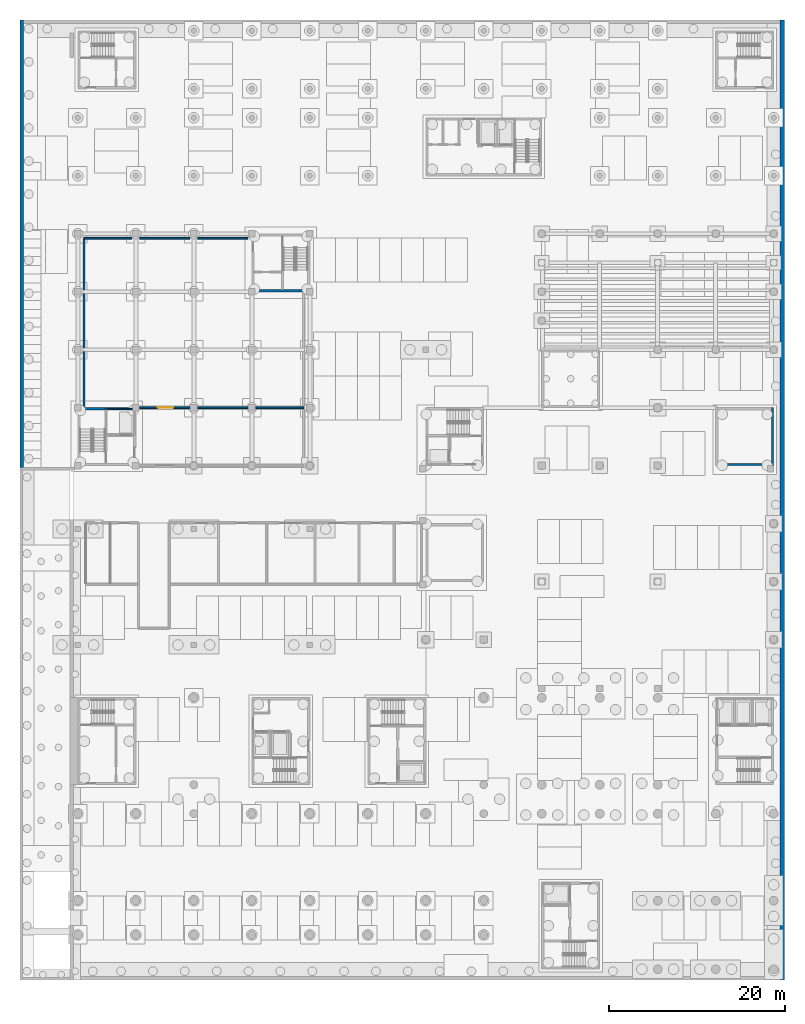
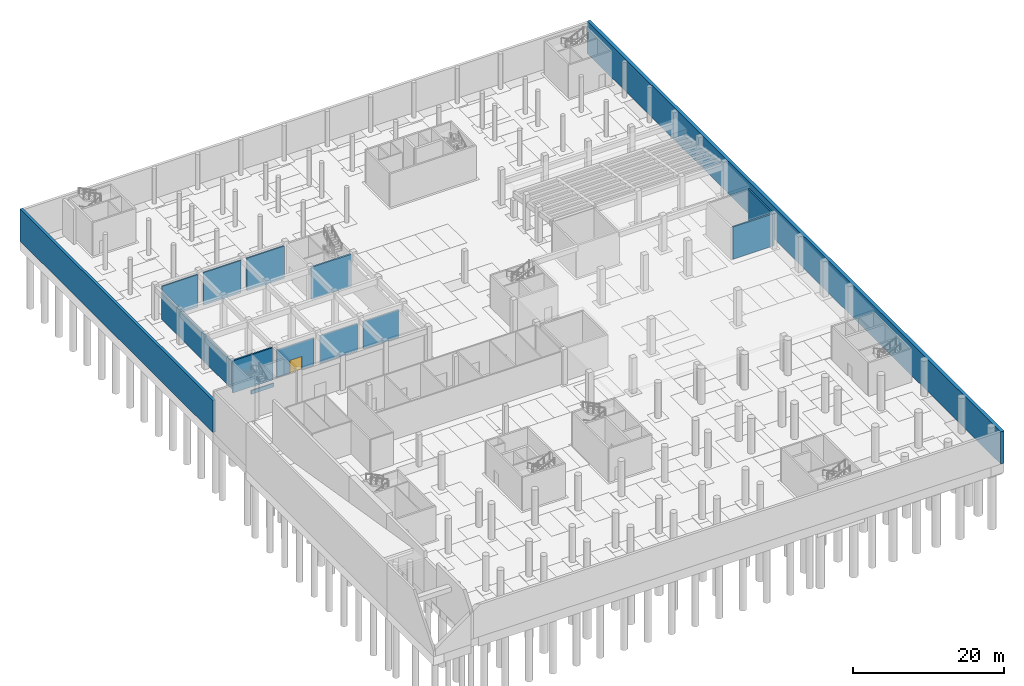
# One storey, part 15 of 38: 14 walls, 1 door, 1 opening.
"""IFC4 building model written with IfcOpenShell, lengths in metres."""

import ifcopenshell
import ifcopenshell.guid

model = None  # the IFC model being written
_history = None  # IfcOwnerHistory: only IFC2X3 demands one
_inside = {}  # id of a spatial element -> (the spatial element, [elements in it])
_under = {}  # id of a project, library or spatial element -> (it, [spatial elements below it])
_declared = {}  # id of a project -> (the project, [libraries it declares])
_typed = {}  # id of a type object -> (the type object, [elements of that type])
_made_of = {}  # id of a material, layer set ... -> (it, [elements and type objects made of it])


def new_model(schema):
    """Start an empty IFC model of exactly this schema.

    Asked for "IFC4X3", IfcOpenShell would pick the latest addendum, in which some entities
    have other attributes; the version numbers below select the first issue.
    IFC2X3 requires an IfcOwnerHistory on every rooted entity: one is made here for all.
    """
    global model, _history
    if schema == "IFC4X3":
        model = ifcopenshell.file(schema_version=(4, 3, 0, 0))
    else:
        model = ifcopenshell.file(schema=schema)
    _inside.clear()
    _under.clear()
    _declared.clear()
    _typed.clear()
    _made_of.clear()
    _history = None
    if model.schema == "IFC2X3":
        org = make("IfcOrganization", Name="unknown")
        user = make(
            "IfcPersonAndOrganization",
            ThePerson=make("IfcPerson", FamilyName="unknown"),
            TheOrganization=org,
        )
        app = make(
            "IfcApplication",
            ApplicationDeveloper=org,
            Version="unknown",
            ApplicationFullName="unknown",
            ApplicationIdentifier="unknown",
        )
        _history = make(
            "IfcOwnerHistory",
            OwningUser=user,
            OwningApplication=app,
            ChangeAction="ADDED",
            CreationDate=0,
        )
    return model


def make(cls, **values):
    """One entity of the class cls with the attributes given. An attribute that is None is left unset."""
    return model.create_entity(
        cls, **{name: value for name, value in values.items() if value is not None}
    )


def rooted(cls, **values):
    """An entity with a GlobalId (a new one), such as an element, a storey or a relation."""
    return make(cls, GlobalId=ifcopenshell.guid.new(), OwnerHistory=_history, **values)


def si_unit(unit_type, name, prefix=None):
    """IfcSIUnit, for example si_unit("LENGTHUNIT", "METRE", prefix="MILLI")."""
    return make("IfcSIUnit", UnitType=unit_type, Prefix=prefix, Name=name)


def assignment(units):
    """IfcUnitAssignment: the units of a project."""
    return None if units is None else make("IfcUnitAssignment", Units=units)


def point(xyz):
    """IfcCartesianPoint."""
    return None if xyz is None else make("IfcCartesianPoint", Coordinates=xyz)


def direction(xyz):
    """IfcDirection."""
    return None if xyz is None else make("IfcDirection", DirectionRatios=xyz)


def frame(location, z_axis=None, x_axis=None):
    """IfcAxis2Placement3D, a coordinate frame: its origin and axes. An axis left out is left unset."""
    return make(
        "IfcAxis2Placement3D",
        Location=point(location),
        Axis=direction(z_axis),
        RefDirection=direction(x_axis),
    )


def frame_2d(location, x_axis=None):
    """IfcAxis2Placement2D, a coordinate frame in the plane: its origin and x axis."""
    return make(
        "IfcAxis2Placement2D", Location=point(location), RefDirection=direction(x_axis)
    )


def origin():
    """The frame at (0, 0, 0) with its axes left unset."""
    return frame((0.0, 0.0, 0.0))


def place(relative_to, where):
    """IfcLocalPlacement: puts the frame where relative to a parent placement (None: the world)."""
    return make(
        "IfcLocalPlacement", PlacementRelTo=relative_to, RelativePlacement=where
    )


def context(
    kind, dimensions, precision=None, world=None, true_north=None, identifier=None
):
    """IfcGeometricRepresentationContext, for example the 3D "Model" context."""
    return make(
        "IfcGeometricRepresentationContext",
        ContextIdentifier=identifier,
        ContextType=kind,
        CoordinateSpaceDimension=dimensions,
        Precision=precision,
        WorldCoordinateSystem=world,
        TrueNorth=true_north,
    )


def subcontext(parent, identifier, kind, view, scale=None):
    """IfcGeometricRepresentationSubContext, for example "Body" below "Model"."""
    return make(
        "IfcGeometricRepresentationSubContext",
        ContextIdentifier=identifier,
        ContextType=kind,
        ParentContext=parent,
        TargetScale=scale,
        TargetView=view,
    )


def project(units=None, contexts=None):
    """IfcProject with its units and contexts."""
    return rooted(
        "IfcProject",
        Name="project",
        RepresentationContexts=contexts,
        UnitsInContext=assignment(units),
    )


def spatial(cls, under=None, at=None, **own):
    """A site, building, storey or space (cls), placed at a placement, below another one or the project."""
    s = rooted(cls, ObjectPlacement=at, **own)
    if under is not None:
        _under.setdefault(under.id(), (under, []))[1].append(s)
    return s


def profile(cls, at=None, kind="AREA", **sizes):
    """A parametric profile (cls). Its sizes go by their IFC names, for example OverallWidth=200.0."""
    return make(cls, ProfileType=kind, Position=at, **sizes)


def rectangle(**sizes):
    """IfcRectangleProfileDef."""
    return profile("IfcRectangleProfileDef", **sizes)


def extrude(swept, where, along, depth):
    """IfcExtrudedAreaSolid: the profile swept, set in the frame where, extruded along a direction by depth."""
    return make(
        "IfcExtrudedAreaSolid",
        SweptArea=swept,
        Position=where,
        ExtrudedDirection=direction(along),
        Depth=depth,
    )


def shape(context_of_items, identifier, shape_type, items):
    """IfcShapeRepresentation: the items that make up one representation, for example the "Body"."""
    return make(
        "IfcShapeRepresentation",
        ContextOfItems=context_of_items,
        RepresentationIdentifier=identifier,
        RepresentationType=shape_type,
        Items=items,
    )


def material(Name=None, Category=None):
    """IfcMaterial."""
    return make("IfcMaterial", Name=Name, Category=Category)


def layer(
    of_material, thickness, ventilated=None, Name=None, Category=None, Priority=None
):
    """IfcMaterialLayer: one layer of a wall or slab, of a material (None: an air gap)."""
    return make(
        "IfcMaterialLayer",
        Material=of_material,
        LayerThickness=thickness,
        IsVentilated=ventilated,
        Name=Name,
        Category=Category,
        Priority=Priority,
    )


def layer_set(layers, Name=None):
    """IfcMaterialLayerSet."""
    return make("IfcMaterialLayerSet", MaterialLayers=layers, LayerSetName=Name)


def made_of(thing, what):
    """Note that an element or type object is made of a material, layer set ...; save() writes the relation."""
    if what is not None:
        _made_of.setdefault(what.id(), (what, []))[1].append(thing)
    return thing


def type_object(cls, material=None, **own):
    """A type object (cls), such as IfcWallType, which elements share."""
    return made_of(rooted(cls, **own), material)


def element(
    cls,
    number,
    at=None,
    inside=None,
    cuts=None,
    type_object=None,
    material=None,
    context=None,
    identifier="Body",
    shape_type=None,
    held_by="IfcProductDefinitionShape",
    body=None,
    shapes=None,
    **own,
):
    """One element of the class cls, such as IfcWall. Its Tag is "e" and its number.

    at: its placement. inside: the storey or other place that contains it. cuts: it is an
    opening in that element (IfcRelVoidsElement). A single representation is given by context,
    identifier, shape_type and body (its items); several are given by shapes. held_by: the class
    of the entity that holds the representations. save() writes the other relations.
    """
    e = rooted(cls, Tag="e%d" % number, ObjectPlacement=at, **own)
    if body is not None:
        shapes = [shape(context, identifier, shape_type, body)]
    if shapes is not None:
        e.Representation = make(held_by, Representations=shapes)
    if inside is not None:
        _inside.setdefault(inside.id(), (inside, []))[1].append(e)
    if cuts is not None:
        rooted(
            "IfcRelVoidsElement", RelatingBuildingElement=cuts, RelatedOpeningElement=e
        )
    if type_object is not None:
        _typed.setdefault(type_object.id(), (type_object, []))[1].append(e)
    return made_of(e, material)


def fill(opening, filler):
    """IfcRelFillsElement: the door or window that sits in an opening."""
    return rooted(
        "IfcRelFillsElement",
        RelatingOpeningElement=opening,
        RelatedBuildingElement=filler,
    )


def aggregate(whole, parts):
    """IfcRelAggregates: a whole, such as a stair, and the parts it consists of."""
    return rooted("IfcRelAggregates", RelatingObject=whole, RelatedObjects=parts)


def save(model, path):
    """Write the relations noted so far, then the file.

    IfcRelAggregates (storeys below a building ...), IfcRelContainedInSpatialStructure (elements
    in a storey), IfcRelDefinesByType, IfcRelAssociatesMaterial and IfcRelDeclares: one each for
    every whole, place, type object, material and project.
    """
    for whole, parts in _under.values():
        aggregate(whole, parts)
    for where, things in _inside.values():
        rooted(
            "IfcRelContainedInSpatialStructure",
            RelatedElements=things,
            RelatingStructure=where,
        )
    for kind, things in _typed.values():
        rooted("IfcRelDefinesByType", RelatedObjects=things, RelatingType=kind)
    for what, things in _made_of.values():
        rooted("IfcRelAssociatesMaterial", RelatedObjects=things, RelatingMaterial=what)
    for by, libraries in _declared.values():
        rooted("IfcRelDeclares", RelatingContext=by, RelatedDefinitions=libraries)
    model.write(path)


model = new_model("IFC4")

# Units and contexts
model_context = context("Model", 3, precision=1e-05, world=origin(), true_north=direction((0.0, 1.0)))
body_context = subcontext(model_context, "Body", "Model", "MODEL_VIEW")
ifc_project = project(units=[si_unit("LENGTHUNIT", "METRE"), si_unit("AREAUNIT", "SQUARE_METRE"), si_unit("VOLUMEUNIT", "CUBIC_METRE"), si_unit("PLANEANGLEUNIT", "RADIAN"), si_unit("MASSUNIT", "GRAM", prefix="KILO")], contexts=[model_context])

# Site, building, storey
site_placement = place(None, origin())
site = spatial("IfcSite", under=ifc_project, at=site_placement, CompositionType="ELEMENT")
building_placement = place(site_placement, origin())
building = spatial("IfcBuilding", under=site, at=building_placement, Name="Lantern Court Research Institute", CompositionType="ELEMENT")
storey_placement = place(building_placement, frame((0.0, 0.0, -5.699951171875)))
storey = spatial("IfcBuildingStorey", under=building, at=storey_placement, Name="B1", CompositionType="ELEMENT", Elevation=-5.699951171875)

# Wall, opening, door
ifc_material_1 = material(Name="Masonry blockwork 7 N/mm2", Category="masonry")
ifc_layer_1 = layer(ifc_material_1, 0.199951171875)
ifc_layer_set_1 = layer_set([ifc_layer_1], Name="Masonry blockwork 7 N/mm2")
wall_type_1 = type_object("IfcWallType", Name="Fire compartment wall 200 EI 120", PredefinedType="PARTITIONING", material=ifc_layer_set_1)
wall_1_placement = place(storey_placement, frame((7.050048828125, 56.10009765625, 0.0), z_axis=(0.0, 0.0, 1.0), x_axis=(1.0, 0.0, 0.0)))
wall_1 = element("IfcWall", 1, at=wall_1_placement, inside=storey, type_object=wall_type_1, Name="PT25", PredefinedType="PARTITIONING", context=body_context, shape_type="SweptSolid", body=[
    extrude(rectangle(XDim=5.699951171875, YDim=0.199951171875, at=frame_2d((2.85009765625, 0.0))), origin(), (0.0, 0.0, 1.0), 4.449951171875),
])
opening_placement = place(wall_1_placement, frame((2.02490234375, 0.0, 0.0)))
opening = element("IfcOpeningElement", 2, at=opening_placement, cuts=wall_1, Name="Opening DB010", PredefinedType="OPENING", context=body_context, shape_type="SweptSolid", body=[
    extrude(rectangle(XDim=1.800048828125, YDim=2.10009765625, at=frame_2d((0.89990234375, 1.050048828125))), frame((0.0, 0.10986328125, 0.0), z_axis=(0.0, -1.0, 0.0), x_axis=(1.0, 0.0, 0.0)), (0.0, 0.0, 1.0), 0.219970703125),
])
ifc_material_2 = material(Name="Steel", Category="steel")
door_type = type_object("IfcDoorType", Name="Door 1800 x 2100 fire rated FD60 pair", OperationType="DOUBLE_DOOR_SINGLE_SWING", PredefinedType="DOOR", material=ifc_material_2)
door_placement = place(opening_placement, origin())
door = element("IfcDoor", 3, at=door_placement, inside=storey, type_object=door_type, Name="Door DB010", OperationType="DOUBLE_DOOR_SINGLE_SWING", OverallHeight=2.10009765625, OverallWidth=1.800048828125, PredefinedType="DOOR", context=body_context, shape_type="SweptSolid", body=[
    extrude(rectangle(XDim=1.800048828125, YDim=2.10009765625, at=frame_2d((0.89990234375, 1.050048828125))), frame((0.0, 0.02490234375, 0.0), z_axis=(0.0, -1.0, 0.0), x_axis=(1.0, 0.0, 0.0)), (0.0, 0.0, 1.0), 0.050048828125),
])
fill(opening, door)

# Walls
wall_2_placement = place(storey_placement, frame((13.64990234375, 56.10009765625, 0.0), z_axis=(0.0, 0.0, 1.0), x_axis=(1.0, 0.0, 0.0)))
element("IfcWall", 4, at=wall_2_placement, inside=storey, type_object=wall_type_1, Name="PT26", PredefinedType="PARTITIONING", context=body_context, shape_type="SweptSolid", body=[
    extrude(rectangle(XDim=5.7001953125, YDim=0.199951171875, at=frame_2d((2.85009765625, 0.0))), origin(), (0.0, 0.0, 1.0), 4.449951171875),
])
wall_3_placement = place(storey_placement, frame((20.25, 56.10009765625, 0.0), z_axis=(0.0, 0.0, 1.0), x_axis=(1.0, 0.0, 0.0)))
element("IfcWall", 5, at=wall_3_placement, inside=storey, type_object=wall_type_1, Name="PT27", PredefinedType="PARTITIONING", context=body_context, shape_type="SweptSolid", body=[
    extrude(rectangle(XDim=5.449951171875, YDim=0.199951171875, at=frame_2d((2.72509765625, 0.0))), origin(), (0.0, 0.0, 1.0), 4.449951171875),
])
wall_4_placement = place(storey_placement, frame((0.699951171875, 75.39990234375, 0.0), z_axis=(0.0, 0.0, 1.0), x_axis=(1.0, 0.0, 0.0)))
element("IfcWall", 6, at=wall_4_placement, inside=storey, type_object=wall_type_1, Name="PT28", PredefinedType="PARTITIONING", context=body_context, shape_type="SweptSolid", body=[
    extrude(rectangle(XDim=5.449951171875, YDim=0.199951171875, at=frame_2d((2.72509765625, 0.0))), origin(), (0.0, 0.0, 1.0), 5.25),
])
wall_5_placement = place(storey_placement, frame((7.050048828125, 75.39990234375, 0.0), z_axis=(0.0, 0.0, 1.0), x_axis=(1.0, 0.0, 0.0)))
element("IfcWall", 7, at=wall_5_placement, inside=storey, type_object=wall_type_1, Name="PT29", PredefinedType="PARTITIONING", context=body_context, shape_type="SweptSolid", body=[
    extrude(rectangle(XDim=5.699951171875, YDim=0.199951171875, at=frame_2d((2.85009765625, 0.0))), origin(), (0.0, 0.0, 1.0), 5.25),
])
wall_6_placement = place(storey_placement, frame((13.64990234375, 75.39990234375, 0.0), z_axis=(0.0, 0.0, 1.0), x_axis=(1.0, 0.0, 0.0)))
element("IfcWall", 8, at=wall_6_placement, inside=storey, type_object=wall_type_1, Name="PT30", PredefinedType="PARTITIONING", context=body_context, shape_type="SweptSolid", body=[
    extrude(rectangle(XDim=5.7001953125, YDim=0.199951171875, at=frame_2d((2.85009765625, 0.0))), origin(), (0.0, 0.0, 1.0), 5.25),
])
wall_7_placement = place(storey_placement, frame((0.699951171875, 56.10009765625, 0.0), z_axis=(0.0, 0.0, 1.0), x_axis=(0.0, 1.0, 0.0)))
element("IfcWall", 9, at=wall_7_placement, inside=storey, type_object=wall_type_1, Name="PT31", PredefinedType="PARTITIONING", context=body_context, shape_type="SweptSolid", body=[
    extrude(rectangle(XDim=19.199951171875, YDim=0.199951171875, at=frame_2d((9.60009765625, 0.0))), origin(), (0.0, 0.0, 1.0), 4.449951171875),
])
ifc_material_3 = material(Name="Concrete C40/50", Category="concrete")
ifc_layer_2 = layer(ifc_material_3, 0.25)
ifc_layer_set_2 = layer_set([ifc_layer_2], Name="Concrete C40/50")
wall_type_2 = type_object("IfcWallType", Name="RC core wall 250", PredefinedType="SHEAR", material=ifc_layer_set_2)
wall_8_placement = place(storey_placement, frame((6.35009765625, 55.97509765625, 0.0), z_axis=(0.0, 0.0, 1.0), x_axis=(-1.0, 0.0, 0.0)))
element("IfcWall", 10, at=wall_8_placement, inside=storey, type_object=wall_type_2, Name="North wall of core CC-A", PredefinedType="SHEAR", context=body_context, shape_type="SweptSolid", body=[
    extrude(rectangle(XDim=6.10009765625, YDim=0.25, at=frame_2d((3.050048828125, 0.0))), origin(), (0.0, 0.0, 1.0), 5.199951171875),
])
wall_9_placement = place(storey_placement, frame((20.050048828125, 69.425048828125, 0.0), z_axis=(0.0, 0.0, 1.0), x_axis=(1.0, 0.0, 0.0)))
element("IfcWall", 11, at=wall_9_placement, inside=storey, type_object=wall_type_2, Name="South wall of core CC-B", PredefinedType="SHEAR", context=body_context, shape_type="SweptSolid", body=[
    extrude(rectangle(XDim=6.099853515625, YDim=0.25, at=frame_2d((3.0498046875, 0.0))), origin(), (0.0, 0.0, 1.0), 5.199951171875),
])
wall_10_placement = place(storey_placement, frame((79.074951171875, 56.10009765625, 0.0), z_axis=(0.0, 0.0, 1.0), x_axis=(0.0, -1.0, 0.0)))
element("IfcWall", 12, at=wall_10_placement, inside=storey, type_object=wall_type_2, Name="East wall of core HC-B", PredefinedType="SHEAR", context=body_context, shape_type="SweptSolid", body=[
    extrude(rectangle(XDim=6.60009765625, YDim=0.25, at=frame_2d((3.300048828125, 0.0))), origin(), (0.0, 0.0, 1.0), 5.199951171875),
])
wall_11_placement = place(storey_placement, frame((72.85009765625, 49.625, 0.0), z_axis=(0.0, 0.0, 1.0), x_axis=(1.0, 0.0, 0.0)))
element("IfcWall", 13, at=wall_11_placement, inside=storey, type_object=wall_type_2, Name="South wall of core HC-B", PredefinedType="SHEAR", context=body_context, shape_type="SweptSolid", body=[
    extrude(rectangle(XDim=6.099853515625, YDim=0.25, at=frame_2d((3.0498046875, 0.0))), origin(), (0.0, 0.0, 1.0), 5.199951171875),
])
ifc_material_4 = material(Name="Concrete C30/37", Category="concrete")
ifc_layer_3 = layer(ifc_material_4, 0.199951171875)
ifc_layer_set_3 = layer_set([ifc_layer_3], Name="Concrete C30/37")
wall_type_3 = type_object("IfcWallType", Name="RC lift pit wall 200", PredefinedType="SHEAR", material=ifc_layer_set_3)
wall_12_placement = place(storey_placement, frame((3.10009765625, 55.949951171875, -1.199951171875), z_axis=(0.0, 0.0, 1.0), x_axis=(1.0, 0.0, 0.0)))
element("IfcWall", 14, at=wall_12_placement, inside=storey, type_object=wall_type_3, Name="Lift pit wall of core CC-A (north)", PredefinedType="SHEAR", context=body_context, shape_type="SweptSolid", body=[
    extrude(rectangle(XDim=3.449951171875, YDim=0.199951171875, at=frame_2d((1.72509765625, 0.0))), origin(), (0.0, 0.0, 1.0), 0.599853515625),
])
ifc_material_5 = material(Name="Concrete C30/37", Category="concrete")
ifc_layer_4 = layer(ifc_material_5, 0.39990234375)
ifc_layer_set_4 = layer_set([ifc_layer_4], Name="Concrete C30/37")
wall_type_4 = type_object("IfcWallType", Name="Retaining wall 400", PredefinedType="SOLIDWALL", material=ifc_layer_set_4)
wall_13_placement = place(storey_placement, frame((-6.3798828125, 49.300048828125, 0.0), z_axis=(0.0, 0.0, 1.0), x_axis=(0.0, 1.0, 0.0)))
element("IfcWall", 15, at=wall_13_placement, inside=storey, type_object=wall_type_4, Name="RW4", PredefinedType="SOLIDWALL", context=body_context, shape_type="SweptSolid", body=[
    extrude(rectangle(XDim=50.929931640625, YDim=0.39990234375, at=frame_2d((25.46484375, 0.0))), origin(), (0.0, 0.0, 1.0), 5.199951171875),
])
ifc_material_6 = material(Name="Concrete C30/37", Category="concrete")
ifc_layer_5 = layer(ifc_material_6, 0.5)
ifc_layer_set_5 = layer_set([ifc_layer_5], Name="Concrete C30/37")
wall_type_5 = type_object("IfcWallType", Name="Retaining wall 500", PredefinedType="SOLIDWALL", material=ifc_layer_set_5)
wall_14_placement = place(storey_placement, frame((80.179931640625, -9.030029296875, 0.0), z_axis=(0.0, 0.0, 1.0), x_axis=(0.0, 1.0, 0.0)))
element("IfcWall", 16, at=wall_14_placement, inside=storey, type_object=wall_type_5, Name="RW1", PredefinedType="SOLIDWALL", context=body_context, shape_type="SweptSolid", body=[
    extrude(rectangle(XDim=109.260009765625, YDim=0.5, at=frame_2d((54.6298828125, 0.0))), origin(), (0.0, 0.0, 1.0), 5.199951171875),
])

save(model, "model.ifc")
